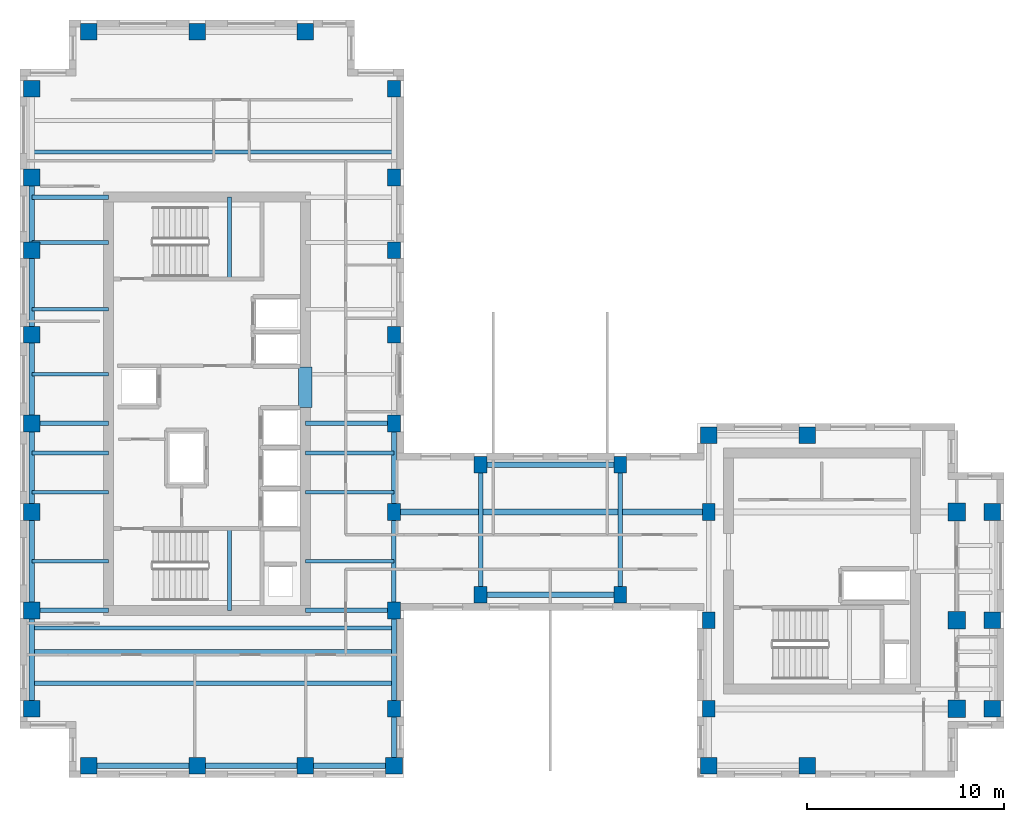
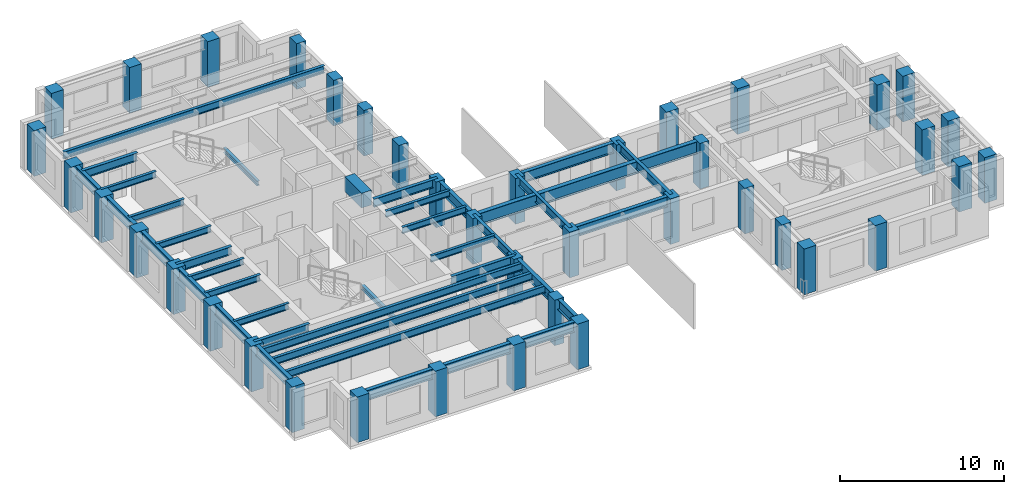
# One storey, part 1 of 11: 40 columns, 39 beams.
"""IFC4 building model written with IfcOpenShell, lengths in metres."""

from ifc_helpers import new_model, si_unit, direction, frame, origin, origin_2d, place, context, subcontext, project, spatial, rectangle, i_section, extrude, source, transform, mapped, material, material_profile, profile_set, type_object, element, save


model = new_model("IFC4")

# Units and contexts
model_context = context("Model", 3, precision=1e-05, world=origin(), true_north=direction((0.0, 1.0)))
body_context = subcontext(model_context, "Body", "Model", "MODEL_VIEW")
ifc_project = project(units=[si_unit("LENGTHUNIT", "METRE"), si_unit("AREAUNIT", "SQUARE_METRE"), si_unit("VOLUMEUNIT", "CUBIC_METRE"), si_unit("PLANEANGLEUNIT", "RADIAN"), si_unit("MASSUNIT", "GRAM", prefix="KILO")], contexts=[model_context])

# Site, building, storey
site_placement = place(None, origin())
site = spatial("IfcSite", under=ifc_project, at=site_placement, CompositionType="ELEMENT")
building_placement = place(site_placement, origin())
building = spatial("IfcBuilding", under=site, at=building_placement, Name="Kharzan Plaza Tower", CompositionType="ELEMENT")
storey_placement = place(building_placement, frame((0.0, 0.0, 226.800048828125)))
storey = spatial("IfcBuildingStorey", under=building, at=storey_placement, Name="L61", CompositionType="ELEMENT", Elevation=226.800048828125)

# Columns
ifc_material_1 = material(Name="Concrete C50/60", Category="concrete")
ifc_material_profile_1 = material_profile(ifc_material_1, rectangle(XDim=0.89990234375, YDim=0.89990234375, at=origin_2d()), Name="RC-IC900x900")
ifc_profile_set_1 = profile_set([ifc_material_profile_1], Name="Concrete C50/60")
column_type_1 = type_object("IfcColumnType", Name="COL-IC900", PredefinedType="COLUMN", material=ifc_profile_set_1)
shared_shape_1 = source(origin(), body_context, "Body", "SweptSolid", [
    extrude(rectangle(XDim=0.89990234375, YDim=0.89990234375, at=origin_2d()), origin(), (0.0, 0.0, 1.0), 3.39990234375),
])
for number, where, z_axis, x_axis, name in (
    (1, (47.60009765625, 13.5, 0.0), (0.0, 0.0, 1.0), (1.0, 0.0, 0.0), "L61 Structural Column TCBI-135"),
    (2, (47.60009765625, 3.5, 0.0), (0.0, 0.0, 1.0), (1.0, 0.0, 0.0), "L61 Structural Column TCBI-35"),
    (3, (47.60009765625, 8.0, 0.0), (0.0, 0.0, 1.0), (1.0, 0.0, 0.0), "L61 Structural Column TCBI-80"),
):
    element("IfcColumn", number, at=place(storey_placement, frame(where, z_axis=z_axis, x_axis=x_axis)), inside=storey, type_object=column_type_1, Name=name, PredefinedType="COLUMN", context=body_context, shape_type="MappedRepresentation", body=[
        mapped(shared_shape_1, transform((0.0, 0.0, 0.0), x_axis=(1.0, 0.0, 0.0), y_axis=(0.0, 1.0, 0.0), z_axis=(0.0, 0.0, 1.0))),
    ])
ifc_material_profile_2 = material_profile(ifc_material_1, rectangle(XDim=0.64990234375, YDim=0.85009765625, at=origin_2d()), Name="RC-SC850x650")
ifc_profile_set_2 = profile_set([ifc_material_profile_2], Name="Concrete C50/60")
column_type_2 = type_object("IfcColumnType", Name="COL-SC850", PredefinedType="COLUMN", material=ifc_profile_set_2)
shared_shape_2 = source(origin(), body_context, "Body", "SweptSolid", [
    extrude(rectangle(XDim=0.64990234375, YDim=0.85009765625, at=origin_2d()), origin(), (0.0, 0.0, 1.0), 3.39990234375),
])
for number, where, z_axis, x_axis, name in (
    (4, (19.0, 13.5, 0.0), (0.0, 0.0, 1.0), (1.0, 0.0, 0.0), "L61 Structural Column TCA-135"),
    (5, (19.0, 18.0, 0.0), (0.0, 0.0, 1.0), (1.0, 0.0, 0.0), "L61 Structural Column TCA-180"),
    (6, (19.0, 22.5, 0.0), (0.0, 0.0, 1.0), (1.0, 0.0, 0.0), "L61 Structural Column TCA-225"),
    (7, (19.0, 26.800048828125, 0.0), (0.0, 0.0, 1.0), (1.0, 0.0, 0.0), "L61 Structural Column TCA-268"),
    (8, (19.0, 30.5, 0.0), (0.0, 0.0, 1.0), (1.0, 0.0, 0.0), "L61 Structural Column TCA-305"),
    (9, (19.0, 3.5, 0.0), (0.0, 0.0, 1.0), (1.0, 0.0, 0.0), "L61 Structural Column TCA-35"),
    (10, (19.0, 35.0, 0.0), (0.0, 0.0, 1.0), (1.0, 0.0, 0.0), "L61 Structural Column TCA-350"),
    (11, (19.0, 8.5, 0.0), (0.0, 0.0, 1.0), (1.0, 0.0, 0.0), "L61 Structural Column TCA-85"),
    (12, (35.0, 13.5, 0.0), (0.0, 0.0, 1.0), (1.0, 0.0, 0.0), "L61 Structural Column TCBS-135"),
    (13, (35.0, 3.5, 0.0), (0.0, 0.0, 1.0), (1.0, 0.0, 0.0), "L61 Structural Column TCBS-35"),
    (14, (35.0, 8.0, 0.0), (0.0, 0.0, 1.0), (1.0, 0.0, 0.0), "L61 Structural Column TCBS-80"),
    (15, (23.39990234375, 15.89990234375, 0.0), (0.0, 0.0, 1.0), (1.0, 0.0, 0.0), "L61 Structural Column TCSP-234-159"),
    (16, (23.39990234375, 9.300048828125, 0.0), (0.0, 0.0, 1.0), (1.0, 0.0, 0.0), "L61 Structural Column TCSP-234-93"),
    (17, (30.5, 15.89990234375, 0.0), (0.0, 0.0, 1.0), (1.0, 0.0, 0.0), "L61 Structural Column TCSP-305-159"),
    (18, (30.5, 9.300048828125, 0.0), (0.0, 0.0, 1.0), (1.0, 0.0, 0.0), "L61 Structural Column TCSP-305-93"),
):
    element("IfcColumn", number, at=place(storey_placement, frame(where, z_axis=z_axis, x_axis=x_axis)), inside=storey, type_object=column_type_2, Name=name, PredefinedType="COLUMN", context=body_context, shape_type="MappedRepresentation", body=[
        mapped(shared_shape_2, transform((0.0, 0.0, 0.0), x_axis=(1.0, 0.0, 0.0), y_axis=(0.0, 1.0, 0.0), z_axis=(0.0, 0.0, 1.0))),
    ])
ifc_material_profile_3 = material_profile(ifc_material_1, rectangle(XDim=0.85009765625, YDim=0.85009765625, at=origin_2d()), Name="RC-TC850x850")
ifc_profile_set_3 = profile_set([ifc_material_profile_3], Name="Concrete C50/60")
column_type_3 = type_object("IfcColumnType", Name="COL-TC850", PredefinedType="COLUMN", material=ifc_profile_set_3)
shared_shape_3 = source(origin(), body_context, "Body", "SweptSolid", [
    extrude(rectangle(XDim=0.85009765625, YDim=0.85009765625, at=origin_2d()), origin(), (0.0, 0.0, 1.0), 3.39990234375),
])
for number, where, z_axis, x_axis, name in (
    (19, (35.0, 17.39990234375, 0.0), (0.0, 0.0, 1.0), (1.0, 0.0, 0.0), "L61 Structural Column TCBN-350-174"),
    (20, (40.0, 17.39990234375, 0.0), (0.0, 0.0, 1.0), (1.0, 0.0, 0.0), "L61 Structural Column TCBN-400-174"),
    (21, (49.39990234375, 13.5, 0.0), (0.0, 0.0, 1.0), (1.0, 0.0, 0.0), "L61 Structural Column TCE-494-135"),
    (22, (49.39990234375, 3.5, 0.0), (0.0, 0.0, 1.0), (1.0, 0.0, 0.0), "L61 Structural Column TCE-494-35"),
    (23, (49.39990234375, 8.0, 0.0), (0.0, 0.0, 1.0), (1.0, 0.0, 0.0), "L61 Structural Column TCE-494-80"),
    (24, (14.5, 37.89990234375, 0.0), (0.0, 0.0, 1.0), (1.0, 0.0, 0.0), "L61 Structural Column TCN-145-379"),
    (25, (3.5, 37.89990234375, 0.0), (0.0, 0.0, 1.0), (1.0, 0.0, 0.0), "L61 Structural Column TCN-35-379"),
    (26, (9.0, 37.89990234375, 0.0), (0.0, 0.0, 1.0), (1.0, 0.0, 0.0), "L61 Structural Column TCN-90-379"),
    (27, (14.5, 0.60009765625, 0.0), (0.0, 0.0, 1.0), (1.0, 0.0, 0.0), "L61 Structural Column TCS-145"),
    (28, (19.0, 0.60009765625, 0.0), (0.0, 0.0, 1.0), (1.0, 0.0, 0.0), "L61 Structural Column TCS-190"),
    (29, (3.5, 0.60009765625, 0.0), (0.0, 0.0, 1.0), (1.0, 0.0, 0.0), "L61 Structural Column TCS-35"),
    (30, (35.0, 0.60009765625, 0.0), (0.0, 0.0, 1.0), (1.0, 0.0, 0.0), "L61 Structural Column TCS-350"),
    (31, (40.0, 0.60009765625, 0.0), (0.0, 0.0, 1.0), (1.0, 0.0, 0.0), "L61 Structural Column TCS-400"),
    (32, (9.0, 0.60009765625, 0.0), (0.0, 0.0, 1.0), (1.0, 0.0, 0.0), "L61 Structural Column TCS-90"),
    (33, (0.60009765625, 13.5, 0.0), (0.0, 0.0, 1.0), (1.0, 0.0, 0.0), "L61 Structural Column TCW-135"),
    (34, (0.60009765625, 18.0, 0.0), (0.0, 0.0, 1.0), (1.0, 0.0, 0.0), "L61 Structural Column TCW-180"),
    (35, (0.60009765625, 22.5, 0.0), (0.0, 0.0, 1.0), (1.0, 0.0, 0.0), "L61 Structural Column TCW-225"),
    (36, (0.60009765625, 26.800048828125, 0.0), (0.0, 0.0, 1.0), (1.0, 0.0, 0.0), "L61 Structural Column TCW-268"),
    (37, (0.60009765625, 30.5, 0.0), (0.0, 0.0, 1.0), (1.0, 0.0, 0.0), "L61 Structural Column TCW-305"),
    (38, (0.60009765625, 3.5, 0.0), (0.0, 0.0, 1.0), (1.0, 0.0, 0.0), "L61 Structural Column TCW-35"),
    (39, (0.60009765625, 35.0, 0.0), (0.0, 0.0, 1.0), (1.0, 0.0, 0.0), "L61 Structural Column TCW-350"),
    (40, (0.60009765625, 8.5, 0.0), (0.0, 0.0, 1.0), (1.0, 0.0, 0.0), "L61 Structural Column TCW-85"),
):
    element("IfcColumn", number, at=place(storey_placement, frame(where, z_axis=z_axis, x_axis=x_axis)), inside=storey, type_object=column_type_3, Name=name, PredefinedType="COLUMN", context=body_context, shape_type="MappedRepresentation", body=[
        mapped(shared_shape_3, transform((0.0, 0.0, 0.0), x_axis=(1.0, 0.0, 0.0), y_axis=(0.0, 1.0, 0.0), z_axis=(0.0, 0.0, 1.0))),
    ])

# Beams
ifc_material_2 = material(Name="Concrete C60/75", Category="concrete")
ifc_material_profile_4 = material_profile(ifc_material_2, rectangle(XDim=0.699951171875, YDim=1.10009765625, at=origin_2d()), Name="RC-CB1100x700")
ifc_profile_set_4 = profile_set([ifc_material_profile_4], Name="Concrete C60/75")
beam_type_1 = type_object("IfcBeamType", Name="BM-RCCB1100", PredefinedType="LINTEL", material=ifc_profile_set_4)
shared_shape_4 = source(origin(), body_context, "Body", "SweptSolid", [
    extrude(rectangle(XDim=0.699951171875, YDim=1.10009765625, at=origin_2d()), origin(), (0.0, 0.0, 1.0), 2.059814453125),
])
beam_1_placement = place(storey_placement, frame((14.5, 18.820068359375, 2.849853515625), z_axis=(0.0, 1.0, 0.0), x_axis=(-1.0, 0.0, 0.0)))
element("IfcBeam", 41, at=beam_1_placement, inside=storey, type_object=beam_type_1, Name="L61 CORE-A RC coupling beam CB1", PredefinedType="LINTEL", context=body_context, shape_type="MappedRepresentation", body=[
    mapped(shared_shape_4, transform((0.0, 0.0, 0.0), x_axis=(1.0, 0.0, 0.0), y_axis=(0.0, 1.0, 0.0), z_axis=(0.0, 0.0, 1.0))),
])
ifc_material_3 = material(Name="Steel S355", Category="steel")
ifc_material_profile_5 = material_profile(ifc_material_3, i_section(OverallWidth=0.205078125, OverallDepth=0.35400390625, WebThickness=0.009521484375, FlangeThickness=0.016845703125, at=origin_2d()), Name="W360x79")
ifc_profile_set_5 = profile_set([ifc_material_profile_5], Name="Steel S355")
beam_type_2 = type_object("IfcBeamType", Name="BM-LNT360", PredefinedType="LINTEL", material=ifc_profile_set_5)
shared_shape_5 = source(origin(), body_context, "Body", "SweptSolid", [
    extrude(i_section(OverallWidth=0.205078125, OverallDepth=0.35400390625, WebThickness=0.009521484375, FlangeThickness=0.016845703125, at=origin_2d()), origin(), (0.0, 0.0, 1.0), 4.155029296875),
])
for number, where, z_axis, x_axis, name in (
    (42, (10.64990234375, 8.5, 1.4228515625), (0.0, 1.0, 0.0), (-1.0, 0.0, 0.0), "L61 Stair ST-1 Half-Landing Beam"),
    (43, (10.64990234375, 25.344970703125, 1.4228515625), (0.0, 1.0, 0.0), (-1.0, 0.0, 0.0), "L61 Stair ST-2 Half-Landing Beam"),
):
    element("IfcBeam", number, at=place(storey_placement, frame(where, z_axis=z_axis, x_axis=x_axis)), inside=storey, type_object=beam_type_2, Name=name, PredefinedType="LINTEL", context=body_context, shape_type="MappedRepresentation", body=[
        mapped(shared_shape_5, transform((0.0, 0.0, 0.0), x_axis=(1.0, 0.0, 0.0), y_axis=(0.0, 1.0, 0.0), z_axis=(0.0, 0.0, 1.0))),
    ])
ifc_material_profile_6 = material_profile(ifc_material_3, i_section(OverallWidth=0.304931640625, OverallDepth=0.9189453125, WebThickness=0.017333984375, FlangeThickness=0.02783203125, at=origin_2d()), Name="W920x253")
ifc_profile_set_6 = profile_set([ifc_material_profile_6], Name="Steel S355")
beam_type_3 = type_object("IfcBeamType", Name="BM-FG920B", PredefinedType="BEAM", material=ifc_profile_set_6)
shared_shape_6 = source(origin(), body_context, "Body", "SweptSolid", [
    extrude(i_section(OverallWidth=0.304931640625, OverallDepth=0.9189453125, WebThickness=0.017333984375, FlangeThickness=0.02783203125, at=origin_2d()), origin(), (0.0, 0.0, 1.0), 16.0),
])
beam_2_placement = place(storey_placement, frame((19.0, 13.5, 2.9404296875), z_axis=(1.0, 0.0, 0.0), x_axis=(0.0, 1.0, 0.0)))
element("IfcBeam", 44, at=beam_2_placement, inside=storey, type_object=beam_type_3, Name="L61 Primary Floor Girder", PredefinedType="BEAM", context=body_context, shape_type="MappedRepresentation", body=[
    mapped(shared_shape_6, transform((0.0, 0.0, 0.0), x_axis=(1.0, 0.0, 0.0), y_axis=(0.0, 1.0, 0.0), z_axis=(0.0, 0.0, 1.0))),
])
ifc_material_profile_7 = material_profile(ifc_material_3, i_section(OverallWidth=0.2099609375, OverallDepth=0.537109375, WebThickness=0.010986328125, FlangeThickness=0.017333984375, at=origin_2d()), Name="W530x101")
ifc_profile_set_7 = profile_set([ifc_material_profile_7], Name="Steel S355")
beam_type_4 = type_object("IfcBeamType", Name="BM-JST530B", PredefinedType="JOIST", material=ifc_profile_set_7)
shared_shape_7 = source(origin(), body_context, "Body", "SweptSolid", [
    extrude(i_section(OverallWidth=0.2099609375, OverallDepth=0.537109375, WebThickness=0.010986328125, FlangeThickness=0.017333984375, at=origin_2d()), origin(), (0.0, 0.0, 1.0), 18.39990234375),
])
for number, where, z_axis, x_axis, name in (
    (45, (0.60009765625, 4.800048828125, 3.13134765625), (1.0, 0.0, 0.0), (0.0, 1.0, 0.0), "L61 Wing A Composite Joist 01"),
    (46, (0.60009765625, 6.39990234375, 3.13134765625), (1.0, 0.0, 0.0), (0.0, 1.0, 0.0), "L61 Wing A Composite Joist 02"),
    (47, (0.60009765625, 7.60009765625, 3.13134765625), (1.0, 0.0, 0.0), (0.0, 1.0, 0.0), "L61 Wing A Composite Joist 03"),
    (48, (0.60009765625, 31.800048828125, 3.13134765625), (1.0, 0.0, 0.0), (0.0, 1.0, 0.0), "L61 Wing A Composite Joist 04"),
):
    element("IfcBeam", number, at=place(storey_placement, frame(where, z_axis=z_axis, x_axis=x_axis)), inside=storey, type_object=beam_type_4, Name=name, PredefinedType="JOIST", context=body_context, shape_type="MappedRepresentation", body=[
        mapped(shared_shape_7, transform((0.0, 0.0, 0.0), x_axis=(1.0, 0.0, 0.0), y_axis=(0.0, 1.0, 0.0), z_axis=(0.0, 0.0, 1.0))),
    ])
ifc_material_profile_8 = material_profile(ifc_material_3, i_section(OverallWidth=0.194091796875, OverallDepth=0.468994140625, WebThickness=0.011474609375, FlangeThickness=0.0205078125, at=origin_2d()), Name="W460x106")
ifc_profile_set_8 = profile_set([ifc_material_profile_8], Name="Steel S355")
beam_type_5 = type_object("IfcBeamType", Name="BM-JST460", PredefinedType="JOIST", material=ifc_profile_set_8)
shared_shape_8 = source(origin(), body_context, "Body", "SweptSolid", [
    extrude(i_section(OverallWidth=0.194091796875, OverallDepth=0.468994140625, WebThickness=0.011474609375, FlangeThickness=0.0205078125, at=origin_2d()), origin(), (0.0, 0.0, 1.0), 4.5),
])
for number, where, z_axis, x_axis, name in (
    (49, (14.5, 11.0, 3.16552734375), (1.0, 0.0, 0.0), (0.0, 1.0, 0.0), "L61 Wing A East Infill Joist 1"),
    (50, (14.5, 14.5, 3.16552734375), (1.0, 0.0, 0.0), (0.0, 1.0, 0.0), "L61 Wing A East Infill Joist 2"),
    (51, (14.5, 16.5, 3.16552734375), (1.0, 0.0, 0.0), (0.0, 1.0, 0.0), "L61 Wing A East Infill Joist 3"),
):
    element("IfcBeam", number, at=place(storey_placement, frame(where, z_axis=z_axis, x_axis=x_axis)), inside=storey, type_object=beam_type_5, Name=name, PredefinedType="JOIST", context=body_context, shape_type="MappedRepresentation", body=[
        mapped(shared_shape_8, transform((0.0, 0.0, 0.0), x_axis=(1.0, 0.0, 0.0), y_axis=(0.0, 1.0, 0.0), z_axis=(0.0, 0.0, 1.0))),
    ])
shared_shape_9 = source(origin(), body_context, "Body", "SweptSolid", [
    extrude(i_section(OverallWidth=0.194091796875, OverallDepth=0.468994140625, WebThickness=0.011474609375, FlangeThickness=0.0205078125, at=origin_2d()), origin(), (0.0, 0.0, 1.0), 3.89990234375),
])
for number, where, z_axis, x_axis, name in (
    (52, (0.60009765625, 11.0, 3.16552734375), (1.0, 0.0, 0.0), (0.0, 1.0, 0.0), "L61 Wing A West Infill Joist 1"),
    (53, (0.60009765625, 14.5, 3.16552734375), (1.0, 0.0, 0.0), (0.0, 1.0, 0.0), "L61 Wing A West Infill Joist 2"),
    (54, (0.60009765625, 16.5, 3.16552734375), (1.0, 0.0, 0.0), (0.0, 1.0, 0.0), "L61 Wing A West Infill Joist 3"),
    (55, (0.60009765625, 20.5, 3.16552734375), (1.0, 0.0, 0.0), (0.0, 1.0, 0.0), "L61 Wing A West Infill Joist 4"),
    (56, (0.60009765625, 23.800048828125, 3.16552734375), (1.0, 0.0, 0.0), (0.0, 1.0, 0.0), "L61 Wing A West Infill Joist 5"),
    (57, (0.60009765625, 27.199951171875, 3.16552734375), (1.0, 0.0, 0.0), (0.0, 1.0, 0.0), "L61 Wing A West Infill Joist 6"),
):
    element("IfcBeam", number, at=place(storey_placement, frame(where, z_axis=z_axis, x_axis=x_axis)), inside=storey, type_object=beam_type_5, Name=name, PredefinedType="JOIST", context=body_context, shape_type="MappedRepresentation", body=[
        mapped(shared_shape_9, transform((0.0, 0.0, 0.0), x_axis=(1.0, 0.0, 0.0), y_axis=(0.0, 1.0, 0.0), z_axis=(0.0, 0.0, 1.0))),
    ])
ifc_material_profile_9 = material_profile(ifc_material_3, i_section(OverallWidth=0.22900390625, OverallDepth=0.612060546875, WebThickness=0.011962890625, FlangeThickness=0.01953125, at=origin_2d()), Name="W610x125")
ifc_profile_set_9 = profile_set([ifc_material_profile_9], Name="Steel S355")
beam_type_6 = type_object("IfcBeamType", Name="BM-FG610B", PredefinedType="BEAM", material=ifc_profile_set_9)
shared_shape_10 = source(origin(), body_context, "Body", "SweptSolid", [
    extrude(i_section(OverallWidth=0.22900390625, OverallDepth=0.612060546875, WebThickness=0.011962890625, FlangeThickness=0.01953125, at=origin_2d()), origin(), (0.0, 0.0, 1.0), 4.5),
])
for number, where, z_axis, x_axis, name in (
    (58, (14.5, 8.5, 3.093994140625), (1.0, 0.0, 0.0), (0.0, 1.0, 0.0), "L61 Core-A East Floor Girder 1"),
    (59, (14.5, 18.0, 3.093994140625), (1.0, 0.0, 0.0), (0.0, 1.0, 0.0), "L61 Core-A East Floor Girder 2"),
):
    element("IfcBeam", number, at=place(storey_placement, frame(where, z_axis=z_axis, x_axis=x_axis)), inside=storey, type_object=beam_type_6, Name=name, PredefinedType="BEAM", context=body_context, shape_type="MappedRepresentation", body=[
        mapped(shared_shape_10, transform((0.0, 0.0, 0.0), x_axis=(1.0, 0.0, 0.0), y_axis=(0.0, 1.0, 0.0), z_axis=(0.0, 0.0, 1.0))),
    ])
shared_shape_11 = source(origin(), body_context, "Body", "SweptSolid", [
    extrude(i_section(OverallWidth=0.22900390625, OverallDepth=0.612060546875, WebThickness=0.011962890625, FlangeThickness=0.01953125, at=origin_2d()), origin(), (0.0, 0.0, 1.0), 3.89990234375),
])
for number, where, z_axis, x_axis, name in (
    (60, (0.60009765625, 8.5, 3.093994140625), (1.0, 0.0, 0.0), (0.0, 1.0, 0.0), "L61 Core-A West Floor Girder 1"),
    (61, (0.60009765625, 18.0, 3.093994140625), (1.0, 0.0, 0.0), (0.0, 1.0, 0.0), "L61 Core-A West Floor Girder 2"),
    (62, (0.60009765625, 29.5, 3.093994140625), (1.0, 0.0, 0.0), (0.0, 1.0, 0.0), "L61 Core-A West Floor Girder 3"),
):
    element("IfcBeam", number, at=place(storey_placement, frame(where, z_axis=z_axis, x_axis=x_axis)), inside=storey, type_object=beam_type_6, Name=name, PredefinedType="BEAM", context=body_context, shape_type="MappedRepresentation", body=[
        mapped(shared_shape_11, transform((0.0, 0.0, 0.0), x_axis=(1.0, 0.0, 0.0), y_axis=(0.0, 1.0, 0.0), z_axis=(0.0, 0.0, 1.0))),
    ])
shared_shape_12 = source(origin(), body_context, "Body", "SweptSolid", [
    extrude(i_section(OverallWidth=0.22900390625, OverallDepth=0.612060546875, WebThickness=0.011962890625, FlangeThickness=0.01953125, at=origin_2d()), origin(), (0.0, 0.0, 1.0), 5.0),
])
beam_3_placement = place(storey_placement, frame((19.0, 8.5, 3.093994140625), z_axis=(0.0, 1.0, 0.0), x_axis=(-1.0, 0.0, 0.0)))
element("IfcBeam", 63, at=beam_3_placement, inside=storey, type_object=beam_type_6, Name="L61 Interior Frame Girder", PredefinedType="BEAM", context=body_context, shape_type="MappedRepresentation", body=[
    mapped(shared_shape_12, transform((0.0, 0.0, 0.0), x_axis=(1.0, 0.0, 0.0), y_axis=(0.0, 1.0, 0.0), z_axis=(0.0, 0.0, 1.0))),
])
shared_shape_13 = source(origin(), body_context, "Body", "SweptSolid", [
    extrude(i_section(OverallWidth=0.22900390625, OverallDepth=0.612060546875, WebThickness=0.011962890625, FlangeThickness=0.01953125, at=origin_2d()), origin(), (0.0, 0.0, 1.0), 6.599853515625),
])
for number, where, z_axis, x_axis, name in (
    (64, (23.39990234375, 9.300048828125, 3.093994140625), (0.0, 1.0, 0.0), (-1.0, 0.0, 0.0), "L61 Interior Frame Girder"),
    (65, (30.5, 9.300048828125, 3.093994140625), (0.0, 1.0, 0.0), (-1.0, 0.0, 0.0), "L61 Interior Frame Girder"),
):
    element("IfcBeam", number, at=place(storey_placement, frame(where, z_axis=z_axis, x_axis=x_axis)), inside=storey, type_object=beam_type_6, Name=name, PredefinedType="BEAM", context=body_context, shape_type="MappedRepresentation", body=[
        mapped(shared_shape_13, transform((0.0, 0.0, 0.0), x_axis=(1.0, 0.0, 0.0), y_axis=(0.0, 1.0, 0.0), z_axis=(0.0, 0.0, 1.0))),
    ])
ifc_material_profile_10 = material_profile(ifc_material_3, i_section(OverallWidth=0.26708984375, OverallDepth=0.76611328125, WebThickness=0.014892578125, FlangeThickness=0.023681640625, at=origin_2d()), Name="W760x185")
ifc_profile_set_10 = profile_set([ifc_material_profile_10], Name="Steel S355")
beam_type_7 = type_object("IfcBeamType", Name="BM-SP760B", PredefinedType="SPANDREL", material=ifc_profile_set_10)
shared_shape_14 = source(origin(), body_context, "Body", "SweptSolid", [
    extrude(i_section(OverallWidth=0.26708984375, OverallDepth=0.76611328125, WebThickness=0.014892578125, FlangeThickness=0.023681640625, at=origin_2d()), origin(), (0.0, 0.0, 1.0), 5.0),
])
for number, where, z_axis, x_axis, name in (
    (66, (0.60009765625, 3.5, 3.016845703125), (0.0, 1.0, 0.0), (-1.0, 0.0, 0.0), "L61 Perimeter Tube Spandrel"),
    (67, (0.60009765625, 8.5, 3.016845703125), (0.0, 1.0, 0.0), (-1.0, 0.0, 0.0), "L61 Perimeter Tube Spandrel"),
    (68, (19.0, 3.5, 3.016845703125), (0.0, 1.0, 0.0), (-1.0, 0.0, 0.0), "L61 Perimeter Tube Spandrel"),
):
    element("IfcBeam", number, at=place(storey_placement, frame(where, z_axis=z_axis, x_axis=x_axis)), inside=storey, type_object=beam_type_7, Name=name, PredefinedType="SPANDREL", context=body_context, shape_type="MappedRepresentation", body=[
        mapped(shared_shape_14, transform((0.0, 0.0, 0.0), x_axis=(1.0, 0.0, 0.0), y_axis=(0.0, 1.0, 0.0), z_axis=(0.0, 0.0, 1.0))),
    ])
shared_shape_15 = source(origin(), body_context, "Body", "SweptSolid", [
    extrude(i_section(OverallWidth=0.26708984375, OverallDepth=0.76611328125, WebThickness=0.014892578125, FlangeThickness=0.023681640625, at=origin_2d()), origin(), (0.0, 0.0, 1.0), 4.5),
])
for number, where, z_axis, x_axis, name in (
    (69, (0.60009765625, 13.5, 3.016845703125), (0.0, 1.0, 0.0), (-1.0, 0.0, 0.0), "L61 Perimeter Tube Spandrel"),
    (70, (0.60009765625, 18.0, 3.016845703125), (0.0, 1.0, 0.0), (-1.0, 0.0, 0.0), "L61 Perimeter Tube Spandrel"),
    (71, (19.0, 13.5, 3.016845703125), (0.0, 1.0, 0.0), (-1.0, 0.0, 0.0), "L61 Perimeter Tube Spandrel"),
    (72, (14.5, 0.60009765625, 3.016845703125), (1.0, 0.0, 0.0), (0.0, 1.0, 0.0), "L61 Perimeter Tube Spandrel"),
):
    element("IfcBeam", number, at=place(storey_placement, frame(where, z_axis=z_axis, x_axis=x_axis)), inside=storey, type_object=beam_type_7, Name=name, PredefinedType="SPANDREL", context=body_context, shape_type="MappedRepresentation", body=[
        mapped(shared_shape_15, transform((0.0, 0.0, 0.0), x_axis=(1.0, 0.0, 0.0), y_axis=(0.0, 1.0, 0.0), z_axis=(0.0, 0.0, 1.0))),
    ])
shared_shape_16 = source(origin(), body_context, "Body", "SweptSolid", [
    extrude(i_section(OverallWidth=0.26708984375, OverallDepth=0.76611328125, WebThickness=0.014892578125, FlangeThickness=0.023681640625, at=origin_2d()), origin(), (0.0, 0.0, 1.0), 4.300048828125),
])
beam_4_placement = place(storey_placement, frame((0.60009765625, 22.5, 3.016845703125), z_axis=(0.0, 1.0, 0.0), x_axis=(-1.0, 0.0, 0.0)))
element("IfcBeam", 73, at=beam_4_placement, inside=storey, type_object=beam_type_7, Name="L61 Perimeter Tube Spandrel", PredefinedType="SPANDREL", context=body_context, shape_type="MappedRepresentation", body=[
    mapped(shared_shape_16, transform((0.0, 0.0, 0.0), x_axis=(1.0, 0.0, 0.0), y_axis=(0.0, 1.0, 0.0), z_axis=(0.0, 0.0, 1.0))),
])
shared_shape_17 = source(origin(), body_context, "Body", "SweptSolid", [
    extrude(i_section(OverallWidth=0.26708984375, OverallDepth=0.76611328125, WebThickness=0.014892578125, FlangeThickness=0.023681640625, at=origin_2d()), origin(), (0.0, 0.0, 1.0), 3.699951171875),
])
beam_5_placement = place(storey_placement, frame((0.60009765625, 26.800048828125, 3.016845703125), z_axis=(0.0, 1.0, 0.0), x_axis=(-1.0, 0.0, 0.0)))
element("IfcBeam", 74, at=beam_5_placement, inside=storey, type_object=beam_type_7, Name="L61 Perimeter Tube Spandrel", PredefinedType="SPANDREL", context=body_context, shape_type="MappedRepresentation", body=[
    mapped(shared_shape_17, transform((0.0, 0.0, 0.0), x_axis=(1.0, 0.0, 0.0), y_axis=(0.0, 1.0, 0.0), z_axis=(0.0, 0.0, 1.0))),
])
shared_shape_18 = source(origin(), body_context, "Body", "SweptSolid", [
    extrude(i_section(OverallWidth=0.26708984375, OverallDepth=0.76611328125, WebThickness=0.014892578125, FlangeThickness=0.023681640625, at=origin_2d()), origin(), (0.0, 0.0, 1.0), 2.89990234375),
])
beam_6_placement = place(storey_placement, frame((19.0, 0.60009765625, 3.016845703125), z_axis=(0.0, 1.0, 0.0), x_axis=(-1.0, 0.0, 0.0)))
element("IfcBeam", 75, at=beam_6_placement, inside=storey, type_object=beam_type_7, Name="L61 Perimeter Tube Spandrel", PredefinedType="SPANDREL", context=body_context, shape_type="MappedRepresentation", body=[
    mapped(shared_shape_18, transform((0.0, 0.0, 0.0), x_axis=(1.0, 0.0, 0.0), y_axis=(0.0, 1.0, 0.0), z_axis=(0.0, 0.0, 1.0))),
])
shared_shape_19 = source(origin(), body_context, "Body", "SweptSolid", [
    extrude(i_section(OverallWidth=0.26708984375, OverallDepth=0.76611328125, WebThickness=0.014892578125, FlangeThickness=0.023681640625, at=origin_2d()), origin(), (0.0, 0.0, 1.0), 5.5),
])
for number, where, z_axis, x_axis, name in (
    (76, (3.5, 0.60009765625, 3.016845703125), (1.0, 0.0, 0.0), (0.0, 1.0, 0.0), "L61 Perimeter Tube Spandrel"),
    (77, (9.0, 0.60009765625, 3.016845703125), (1.0, 0.0, 0.0), (0.0, 1.0, 0.0), "L61 Perimeter Tube Spandrel"),
):
    element("IfcBeam", number, at=place(storey_placement, frame(where, z_axis=z_axis, x_axis=x_axis)), inside=storey, type_object=beam_type_7, Name=name, PredefinedType="SPANDREL", context=body_context, shape_type="MappedRepresentation", body=[
        mapped(shared_shape_19, transform((0.0, 0.0, 0.0), x_axis=(1.0, 0.0, 0.0), y_axis=(0.0, 1.0, 0.0), z_axis=(0.0, 0.0, 1.0))),
    ])
shared_shape_20 = source(origin(), body_context, "Body", "SweptSolid", [
    extrude(i_section(OverallWidth=0.26708984375, OverallDepth=0.76611328125, WebThickness=0.014892578125, FlangeThickness=0.023681640625, at=origin_2d()), origin(), (0.0, 0.0, 1.0), 7.10009765625),
])
for number, where, z_axis, x_axis, name in (
    (78, (23.39990234375, 9.300048828125, 3.016845703125), (1.0, 0.0, 0.0), (0.0, 1.0, 0.0), "L61 Perimeter Tube Spandrel"),
    (79, (23.39990234375, 15.89990234375, 3.016845703125), (1.0, 0.0, 0.0), (0.0, 1.0, 0.0), "L61 Perimeter Tube Spandrel"),
):
    element("IfcBeam", number, at=place(storey_placement, frame(where, z_axis=z_axis, x_axis=x_axis)), inside=storey, type_object=beam_type_7, Name=name, PredefinedType="SPANDREL", context=body_context, shape_type="MappedRepresentation", body=[
        mapped(shared_shape_20, transform((0.0, 0.0, 0.0), x_axis=(1.0, 0.0, 0.0), y_axis=(0.0, 1.0, 0.0), z_axis=(0.0, 0.0, 1.0))),
    ])

save(model, "model.ifc")
